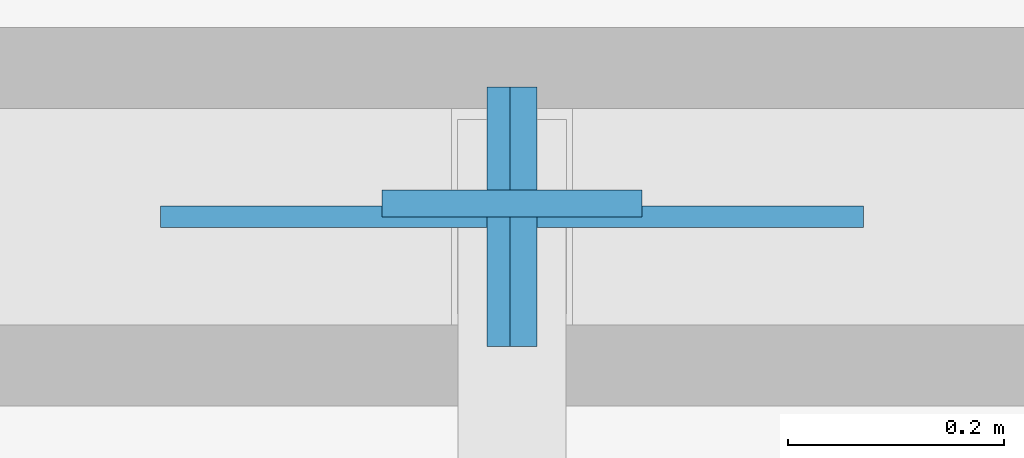
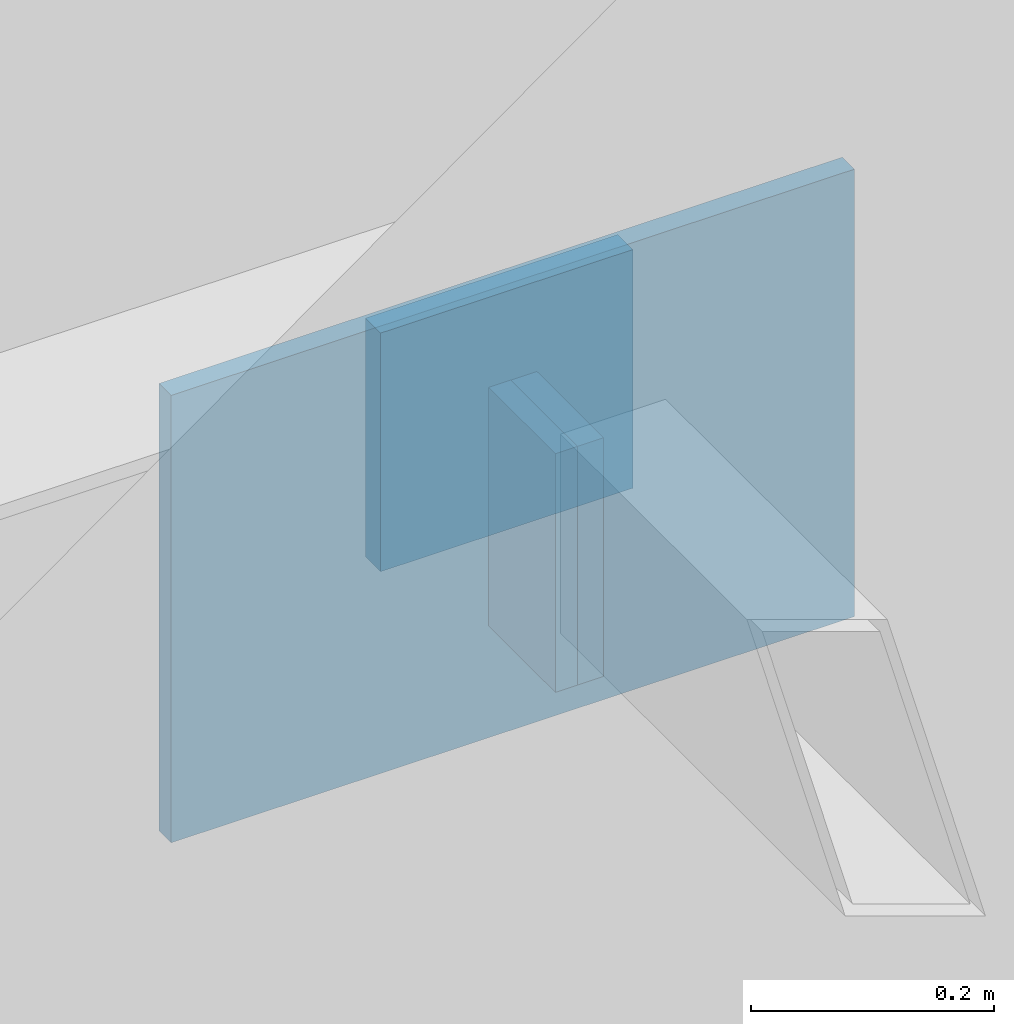
# One storey, part 136 of 186: 4 plates.
"""IFC4 building model written with IfcOpenShell, lengths in metres."""

import ifcopenshell
import ifcopenshell.guid

model = None  # the IFC model being written
_history = None  # IfcOwnerHistory: only IFC2X3 demands one
_inside = {}  # id of a spatial element -> (the spatial element, [elements in it])
_under = {}  # id of a project, library or spatial element -> (it, [spatial elements below it])
_declared = {}  # id of a project -> (the project, [libraries it declares])
_typed = {}  # id of a type object -> (the type object, [elements of that type])
_made_of = {}  # id of a material, layer set ... -> (it, [elements and type objects made of it])


def new_model(schema):
    """Start an empty IFC model of exactly this schema.

    Asked for "IFC4X3", IfcOpenShell would pick the latest addendum, in which some entities
    have other attributes; the version numbers below select the first issue.
    IFC2X3 requires an IfcOwnerHistory on every rooted entity: one is made here for all.
    """
    global model, _history
    if schema == "IFC4X3":
        model = ifcopenshell.file(schema_version=(4, 3, 0, 0))
    else:
        model = ifcopenshell.file(schema=schema)
    _inside.clear()
    _under.clear()
    _declared.clear()
    _typed.clear()
    _made_of.clear()
    _history = None
    if model.schema == "IFC2X3":
        org = make("IfcOrganization", Name="unknown")
        user = make(
            "IfcPersonAndOrganization",
            ThePerson=make("IfcPerson", FamilyName="unknown"),
            TheOrganization=org,
        )
        app = make(
            "IfcApplication",
            ApplicationDeveloper=org,
            Version="unknown",
            ApplicationFullName="unknown",
            ApplicationIdentifier="unknown",
        )
        _history = make(
            "IfcOwnerHistory",
            OwningUser=user,
            OwningApplication=app,
            ChangeAction="ADDED",
            CreationDate=0,
        )
    return model


def make(cls, **values):
    """One entity of the class cls with the attributes given. An attribute that is None is left unset."""
    return model.create_entity(
        cls, **{name: value for name, value in values.items() if value is not None}
    )


def rooted(cls, **values):
    """An entity with a GlobalId (a new one), such as an element, a storey or a relation."""
    return make(cls, GlobalId=ifcopenshell.guid.new(), OwnerHistory=_history, **values)


def si_unit(unit_type, name, prefix=None):
    """IfcSIUnit, for example si_unit("LENGTHUNIT", "METRE", prefix="MILLI")."""
    return make("IfcSIUnit", UnitType=unit_type, Prefix=prefix, Name=name)


def assignment(units):
    """IfcUnitAssignment: the units of a project."""
    return None if units is None else make("IfcUnitAssignment", Units=units)


def point(xyz):
    """IfcCartesianPoint."""
    return None if xyz is None else make("IfcCartesianPoint", Coordinates=xyz)


def direction(xyz):
    """IfcDirection."""
    return None if xyz is None else make("IfcDirection", DirectionRatios=xyz)


def frame(location, z_axis=None, x_axis=None):
    """IfcAxis2Placement3D, a coordinate frame: its origin and axes. An axis left out is left unset."""
    return make(
        "IfcAxis2Placement3D",
        Location=point(location),
        Axis=direction(z_axis),
        RefDirection=direction(x_axis),
    )


def frame_2d(location, x_axis=None):
    """IfcAxis2Placement2D, a coordinate frame in the plane: its origin and x axis."""
    return make(
        "IfcAxis2Placement2D", Location=point(location), RefDirection=direction(x_axis)
    )


def origin():
    """The frame at (0, 0, 0) with its axes left unset."""
    return frame((0.0, 0.0, 0.0))


def origin_2d():
    """The frame at (0, 0) in the plane with its x axis left unset."""
    return frame_2d((0.0, 0.0))


def place(relative_to, where):
    """IfcLocalPlacement: puts the frame where relative to a parent placement (None: the world)."""
    return make(
        "IfcLocalPlacement", PlacementRelTo=relative_to, RelativePlacement=where
    )


def context(
    kind, dimensions, precision=None, world=None, true_north=None, identifier=None
):
    """IfcGeometricRepresentationContext, for example the 3D "Model" context."""
    return make(
        "IfcGeometricRepresentationContext",
        ContextIdentifier=identifier,
        ContextType=kind,
        CoordinateSpaceDimension=dimensions,
        Precision=precision,
        WorldCoordinateSystem=world,
        TrueNorth=true_north,
    )


def subcontext(parent, identifier, kind, view, scale=None):
    """IfcGeometricRepresentationSubContext, for example "Body" below "Model"."""
    return make(
        "IfcGeometricRepresentationSubContext",
        ContextIdentifier=identifier,
        ContextType=kind,
        ParentContext=parent,
        TargetScale=scale,
        TargetView=view,
    )


def project(units=None, contexts=None):
    """IfcProject with its units and contexts."""
    return rooted(
        "IfcProject",
        Name="project",
        RepresentationContexts=contexts,
        UnitsInContext=assignment(units),
    )


def spatial(cls, under=None, at=None, **own):
    """A site, building, storey or space (cls), placed at a placement, below another one or the project."""
    s = rooted(cls, ObjectPlacement=at, **own)
    if under is not None:
        _under.setdefault(under.id(), (under, []))[1].append(s)
    return s


def profile(cls, at=None, kind="AREA", **sizes):
    """A parametric profile (cls). Its sizes go by their IFC names, for example OverallWidth=200.0."""
    return make(cls, ProfileType=kind, Position=at, **sizes)


def rectangle(**sizes):
    """IfcRectangleProfileDef."""
    return profile("IfcRectangleProfileDef", **sizes)


def extrude(swept, where, along, depth):
    """IfcExtrudedAreaSolid: the profile swept, set in the frame where, extruded along a direction by depth."""
    return make(
        "IfcExtrudedAreaSolid",
        SweptArea=swept,
        Position=where,
        ExtrudedDirection=direction(along),
        Depth=depth,
    )


def shape(context_of_items, identifier, shape_type, items):
    """IfcShapeRepresentation: the items that make up one representation, for example the "Body"."""
    return make(
        "IfcShapeRepresentation",
        ContextOfItems=context_of_items,
        RepresentationIdentifier=identifier,
        RepresentationType=shape_type,
        Items=items,
    )


def material(Name=None, Category=None):
    """IfcMaterial."""
    return make("IfcMaterial", Name=Name, Category=Category)


def layer(
    of_material, thickness, ventilated=None, Name=None, Category=None, Priority=None
):
    """IfcMaterialLayer: one layer of a wall or slab, of a material (None: an air gap)."""
    return make(
        "IfcMaterialLayer",
        Material=of_material,
        LayerThickness=thickness,
        IsVentilated=ventilated,
        Name=Name,
        Category=Category,
        Priority=Priority,
    )


def layer_set(layers, Name=None):
    """IfcMaterialLayerSet."""
    return make("IfcMaterialLayerSet", MaterialLayers=layers, LayerSetName=Name)


def made_of(thing, what):
    """Note that an element or type object is made of a material, layer set ...; save() writes the relation."""
    if what is not None:
        _made_of.setdefault(what.id(), (what, []))[1].append(thing)
    return thing


def type_object(cls, material=None, **own):
    """A type object (cls), such as IfcWallType, which elements share."""
    return made_of(rooted(cls, **own), material)


def element(
    cls,
    number,
    at=None,
    inside=None,
    cuts=None,
    type_object=None,
    material=None,
    context=None,
    identifier="Body",
    shape_type=None,
    held_by="IfcProductDefinitionShape",
    body=None,
    shapes=None,
    **own,
):
    """One element of the class cls, such as IfcWall. Its Tag is "e" and its number.

    at: its placement. inside: the storey or other place that contains it. cuts: it is an
    opening in that element (IfcRelVoidsElement). A single representation is given by context,
    identifier, shape_type and body (its items); several are given by shapes. held_by: the class
    of the entity that holds the representations. save() writes the other relations.
    """
    e = rooted(cls, Tag="e%d" % number, ObjectPlacement=at, **own)
    if body is not None:
        shapes = [shape(context, identifier, shape_type, body)]
    if shapes is not None:
        e.Representation = make(held_by, Representations=shapes)
    if inside is not None:
        _inside.setdefault(inside.id(), (inside, []))[1].append(e)
    if cuts is not None:
        rooted(
            "IfcRelVoidsElement", RelatingBuildingElement=cuts, RelatedOpeningElement=e
        )
    if type_object is not None:
        _typed.setdefault(type_object.id(), (type_object, []))[1].append(e)
    return made_of(e, material)


def aggregate(whole, parts):
    """IfcRelAggregates: a whole, such as a stair, and the parts it consists of."""
    return rooted("IfcRelAggregates", RelatingObject=whole, RelatedObjects=parts)


def save(model, path):
    """Write the relations noted so far, then the file.

    IfcRelAggregates (storeys below a building ...), IfcRelContainedInSpatialStructure (elements
    in a storey), IfcRelDefinesByType, IfcRelAssociatesMaterial and IfcRelDeclares: one each for
    every whole, place, type object, material and project.
    """
    for whole, parts in _under.values():
        aggregate(whole, parts)
    for where, things in _inside.values():
        rooted(
            "IfcRelContainedInSpatialStructure",
            RelatedElements=things,
            RelatingStructure=where,
        )
    for kind, things in _typed.values():
        rooted("IfcRelDefinesByType", RelatedObjects=things, RelatingType=kind)
    for what, things in _made_of.values():
        rooted("IfcRelAssociatesMaterial", RelatedObjects=things, RelatingMaterial=what)
    for by, libraries in _declared.values():
        rooted("IfcRelDeclares", RelatingContext=by, RelatedDefinitions=libraries)
    model.write(path)


model = new_model("IFC4")

# Units and contexts
model_context = context("Model", 3, precision=1e-05, world=origin(), true_north=direction((0.0, 1.0)))
body_context = subcontext(model_context, "Body", "Model", "MODEL_VIEW")
ifc_project = project(units=[si_unit("LENGTHUNIT", "METRE"), si_unit("AREAUNIT", "SQUARE_METRE"), si_unit("VOLUMEUNIT", "CUBIC_METRE"), si_unit("PLANEANGLEUNIT", "RADIAN"), si_unit("MASSUNIT", "GRAM", prefix="KILO")], contexts=[model_context])

# Site, building, storey
site_placement = place(None, origin())
site = spatial("IfcSite", under=ifc_project, at=site_placement, CompositionType="ELEMENT")
building_placement = place(site_placement, origin())
building = spatial("IfcBuilding", under=site, at=building_placement, Name="Tarnwether General Hospital", CompositionType="ELEMENT")
storey_placement = place(building_placement, frame((0.0, 0.0, 9.60009765625)))
storey = spatial("IfcBuildingStorey", under=building, at=storey_placement, Name="L02", CompositionType="ELEMENT", Elevation=9.60009765625)

# Plates
ifc_material_1 = material(Name="Steel Grade 350 (350 MPa)", Category="steel")
ifc_layer_1 = layer(ifc_material_1, 0.02001953125)
ifc_layer_set_1 = layer_set([ifc_layer_1], Name="Steel Grade 350 (350 MPa)")
plate_type_1 = type_object("IfcPlateType", Name="PT-GUS1", PredefinedType="USERDEFINED", material=ifc_layer_set_1)
plate_placement = place(storey_placement, frame((30.0, 69.60009765625, 3.96484375), z_axis=(0.0, 0.0, 1.0), x_axis=(1.0, 0.0, 0.0)))
element("IfcPlate", 1, at=plate_placement, inside=storey, type_object=plate_type_1, Name="Chevron Brace Apex Gusset Plate 028", ObjectType="GUSSET", PredefinedType="USERDEFINED", context=body_context, shape_type="SweptSolid", body=[
    extrude(rectangle(XDim=0.64990234375, YDim=0.02001953125, at=origin_2d()), origin(), (0.0, 0.0, 1.0), 0.449951171875),
])
ifc_material_2 = material(Name="Steel Grade 350 (350 MPa)", Category="steel")
ifc_layer_2 = layer(ifc_material_2, 0.02490234375)
ifc_layer_set_2 = layer_set([ifc_layer_2], Name="Steel Grade 350 (350 MPa)")
plate_type_2 = type_object("IfcPlateType", Name="PT-GUS2", PredefinedType="USERDEFINED", material=ifc_layer_set_2)
for number, where, z_axis, x_axis, name in (
    (2, (30.010498046875, 69.60009765625, 4.0771484375), (0.0, 0.0, 1.0), (1.0, 0.0, 0.0), "Hollow Section Welded End Cap Plate 1212"),
    (3, (29.989501953125, 69.60009765625, 4.0771484375), (0.0, 0.0, 1.0), (-1.0, 0.0, 0.0), "Hollow Section Welded End Cap Plate 1214"),
    (4, (30.0, 69.612548828125, 4.15966796875), (0.0, 0.0, 1.0), (0.0, 1.0, 0.0), "Hollow Section Welded End Cap Plate 1392"),
):
    element("IfcPlate", number, at=place(storey_placement, frame(where, z_axis=z_axis, x_axis=x_axis)), inside=storey, type_object=plate_type_2, Name=name, ObjectType="GUSSET", PredefinedType="USERDEFINED", context=body_context, shape_type="SweptSolid", body=[
        extrude(rectangle(XDim=0.02490234375, YDim=0.239990234375, at=origin_2d()), origin(), (0.0, 0.0, 1.0), 0.239990234375),
    ])

save(model, "model.ifc")
